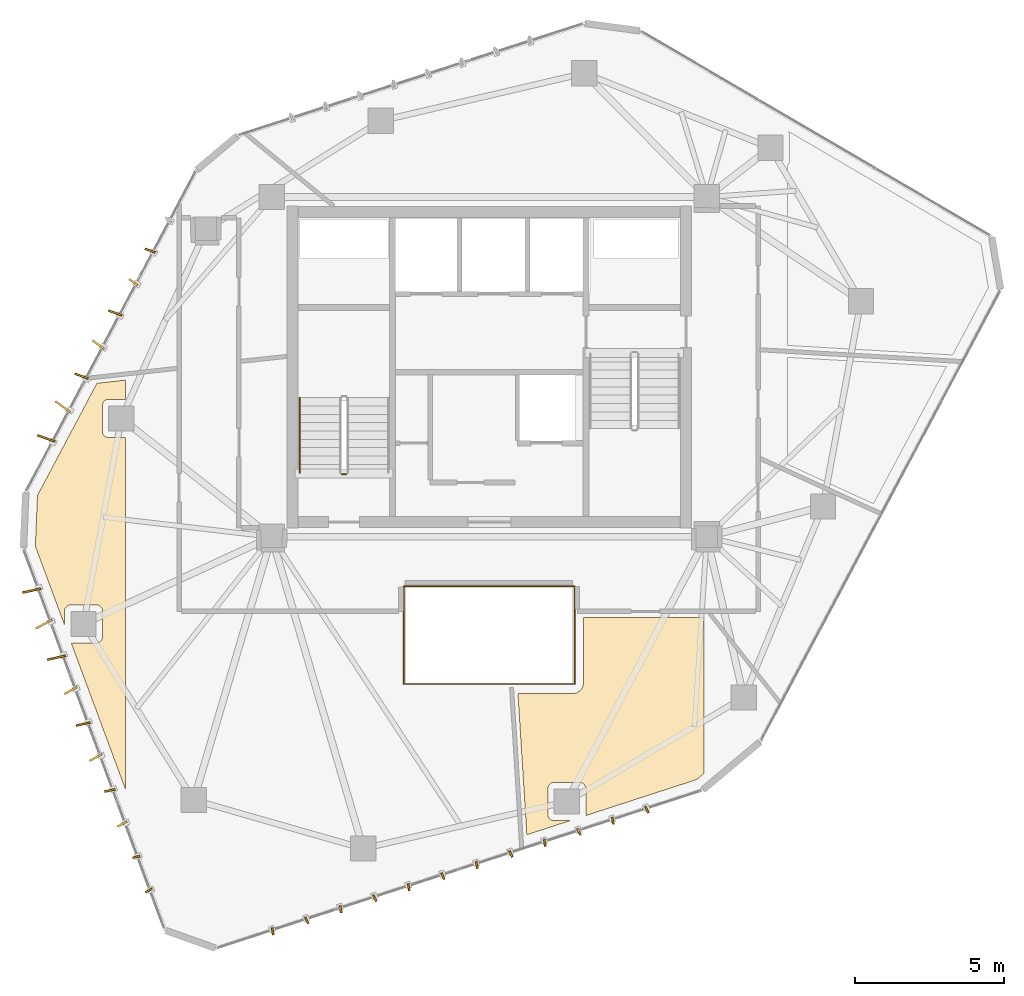
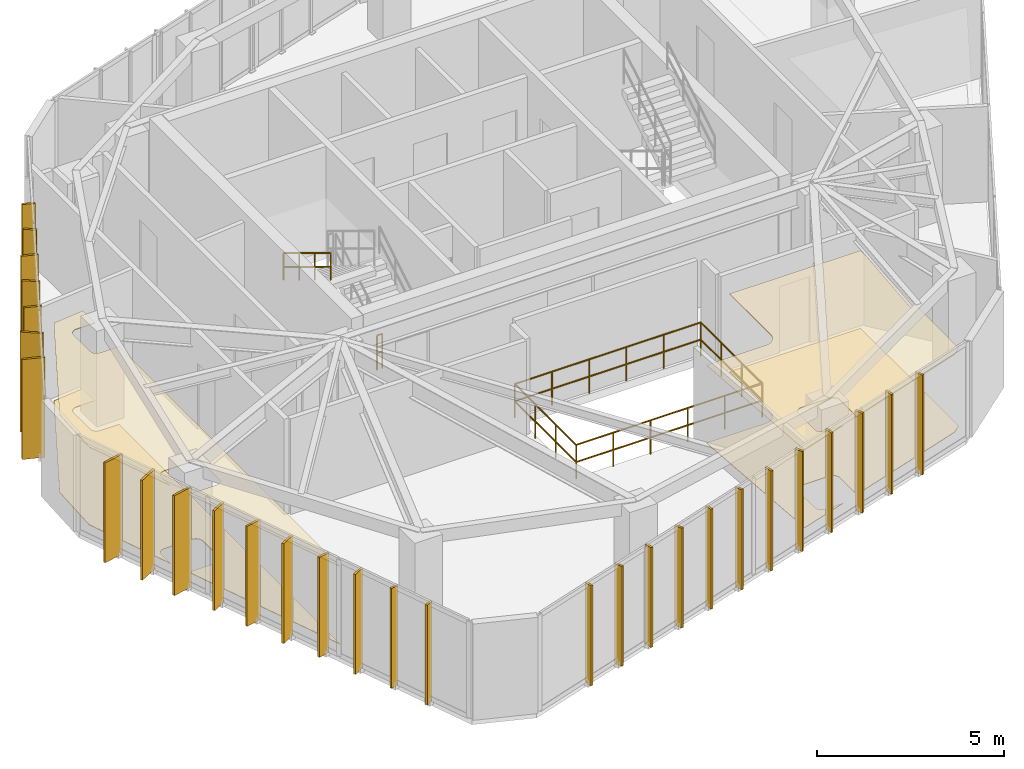
# One storey, part 18 of 19: 29 shading devices, 6 railings, 4 coverings.
"""IFC4 building model written with IfcOpenShell, lengths in metres."""

from ifc_helpers import new_model, si_unit, direction, frame, origin, origin_2d, place, context, subcontext, project, spatial, polyline, rectangle, circle, outline, extrude, source, transform, mapped, material, layer, layer_set, type_object, type_shapes, element, save


model = new_model("IFC4")

# Units and contexts
model_context = context("Model", 3, precision=1e-05, world=origin(), true_north=direction((0.0, 1.0)))
body_context = subcontext(model_context, "Body", "Model", "MODEL_VIEW")
ifc_project = project(units=[si_unit("LENGTHUNIT", "METRE"), si_unit("AREAUNIT", "SQUARE_METRE"), si_unit("VOLUMEUNIT", "CUBIC_METRE"), si_unit("PLANEANGLEUNIT", "RADIAN"), si_unit("MASSUNIT", "GRAM", prefix="KILO")], contexts=[model_context])

# Site, building, storey
site_placement = place(None, origin())
site = spatial("IfcSite", under=ifc_project, at=site_placement, CompositionType="ELEMENT")
building_placement = place(site_placement, origin())
building = spatial("IfcBuilding", under=site, at=building_placement, Name="Talar Marvaseh", CompositionType="ELEMENT")
storey_placement = place(building_placement, frame((0.0, 0.0, 288.39990234375)))
storey = spatial("IfcBuildingStorey", under=building, at=storey_placement, Name="L77", CompositionType="ELEMENT", Elevation=288.39990234375)

# Railings
ifc_material_1 = material(Name="Stainless Steel Grade 316", Category="steel")
railing_type_1 = type_object("IfcRailingType", Name="Brushed Stainless Wall Pitch Handrail 900", PredefinedType="HANDRAIL", material=ifc_material_1)
railing_1_placement = place(storey_placement, frame((19.64990234375, 30.169921875, 1.8701171875)))
element("IfcRailing", 1, at=railing_1_placement, inside=storey, type_object=railing_type_1, Name="L77 ST-1 stair handrail 2", PredefinedType="HANDRAIL", context=body_context, shape_type="SweptSolid", body=[
    extrude(circle(Radius=0.02392578125, at=origin_2d()), frame((0.0, 0.0, 0.8759765625), z_axis=(0.0, -0.85478489116, 0.518982456201), x_axis=(1.0, 0.0, 0.0)), (0.0, 0.0, 1.0), 2.9482421875),
    extrude(circle(Radius=0.02392578125, at=origin_2d()), frame((0.0, 0.0, 0.42578125), z_axis=(0.0, -0.85478489116, 0.518982456201), x_axis=(1.0, 0.0, 0.0)), (0.0, 0.0, 1.0), 2.9482421875),
    extrude(circle(Radius=0.02099609375, at=origin_2d()), origin(), (0.0, 0.0, 1.0), 0.851806640625),
    extrude(circle(Radius=0.02099609375, at=origin_2d()), frame((0.0, -0.840087890625, 0.510009765625)), (0.0, 0.0, 1.0), 0.851806640625),
    extrude(circle(Radius=0.02099609375, at=origin_2d()), frame((0.0, -1.679931640625, 1.02001953125)), (0.0, 0.0, 1.0), 0.851806640625),
    extrude(circle(Radius=0.02099609375, at=origin_2d()), frame((0.0, -2.52001953125, 1.530029296875)), (0.0, 0.0, 1.0), 0.851806640625),
])
ifc_material_2 = material(Name="Tempered Clear Glass", Category="glass")
railing_type_2 = type_object("IfcRailingType", Name="Interior Atrium Edge Balustrade 1120", PredefinedType="BALUSTRADE", material=ifc_material_2)
railing_2_placement = place(storey_placement, frame((23.130615234375, 20.560302734375, 0.0)))
element("IfcRailing", 2, at=railing_2_placement, inside=storey, type_object=railing_type_2, Name="L77 Internal Daylight Atrium Balustrade 1", PredefinedType="BALUSTRADE", context=body_context, shape_type="SweptSolid", body=[
    extrude(circle(Radius=0.02392578125, at=origin_2d()), frame((0.0, 0.0, 1.09619140625), z_axis=(1.0, 0.0, 0.0), x_axis=(0.0, 1.0, 0.0)), (0.0, 0.0, 1.0), 5.73876953125),
    extrude(circle(Radius=0.02392578125, at=origin_2d()), frame((0.0, 0.0, 0.5361328125), z_axis=(1.0, 0.0, 0.0), x_axis=(0.0, 1.0, 0.0)), (0.0, 0.0, 1.0), 5.73876953125),
    extrude(circle(Radius=0.02099609375, at=origin_2d()), origin(), (0.0, 0.0, 1.0), 1.072021484375),
    extrude(circle(Radius=0.02099609375, at=origin_2d()), frame((1.147705078125, 0.0, 0.0)), (0.0, 0.0, 1.0), 1.072021484375),
    extrude(circle(Radius=0.02099609375, at=origin_2d()), frame((2.29541015625, 0.0, 0.0)), (0.0, 0.0, 1.0), 1.072021484375),
    extrude(circle(Radius=0.02099609375, at=origin_2d()), frame((3.443359375, 0.0, 0.0)), (0.0, 0.0, 1.0), 1.072021484375),
    extrude(circle(Radius=0.02099609375, at=origin_2d()), frame((4.591064453125, 0.0, 0.0)), (0.0, 0.0, 1.0), 1.072021484375),
    extrude(circle(Radius=0.02099609375, at=origin_2d()), frame((5.73876953125, 0.0, 0.0)), (0.0, 0.0, 1.0), 1.072021484375),
])
railing_3_placement = place(storey_placement, frame((28.869384765625, 20.560302734375, 0.0)))
element("IfcRailing", 3, at=railing_3_placement, inside=storey, type_object=railing_type_2, Name="L77 Internal Daylight Atrium Balustrade 2", PredefinedType="BALUSTRADE", context=body_context, shape_type="SweptSolid", body=[
    extrude(circle(Radius=0.02392578125, at=origin_2d()), frame((0.0, 0.0, 1.09619140625), z_axis=(0.0, 1.0, 0.0), x_axis=(-1.0, 0.0, 0.0)), (0.0, 0.0, 1.0), 3.279296875),
    extrude(circle(Radius=0.02392578125, at=origin_2d()), frame((0.0, 0.0, 0.5361328125), z_axis=(0.0, 1.0, 0.0), x_axis=(-1.0, 0.0, 0.0)), (0.0, 0.0, 1.0), 3.279296875),
    extrude(circle(Radius=0.02099609375, at=origin_2d()), origin(), (0.0, 0.0, 1.0), 1.072021484375),
    extrude(circle(Radius=0.02099609375, at=origin_2d()), frame((0.0, 1.093017578125, 0.0)), (0.0, 0.0, 1.0), 1.072021484375),
    extrude(circle(Radius=0.02099609375, at=origin_2d()), frame((0.0, 2.186279296875, 0.0)), (0.0, 0.0, 1.0), 1.072021484375),
    extrude(circle(Radius=0.02099609375, at=origin_2d()), frame((0.0, 3.279296875, 0.0)), (0.0, 0.0, 1.0), 1.072021484375),
])
railing_4_placement = place(storey_placement, frame((28.869384765625, 23.839599609375, 0.0)))
element("IfcRailing", 4, at=railing_4_placement, inside=storey, type_object=railing_type_2, Name="L77 Internal Daylight Atrium Balustrade 3", PredefinedType="BALUSTRADE", context=body_context, shape_type="SweptSolid", body=[
    extrude(circle(Radius=0.02392578125, at=origin_2d()), frame((0.0, 0.0, 1.09619140625), z_axis=(-1.0, 0.0, 0.0), x_axis=(0.0, -1.0, 0.0)), (0.0, 0.0, 1.0), 5.73876953125),
    extrude(circle(Radius=0.02392578125, at=origin_2d()), frame((0.0, 0.0, 0.5361328125), z_axis=(-1.0, 0.0, 0.0), x_axis=(0.0, -1.0, 0.0)), (0.0, 0.0, 1.0), 5.73876953125),
    extrude(circle(Radius=0.02099609375, at=origin_2d()), origin(), (0.0, 0.0, 1.0), 1.072021484375),
    extrude(circle(Radius=0.02099609375, at=origin_2d()), frame((-1.147705078125, 0.0, 0.0)), (0.0, 0.0, 1.0), 1.072021484375),
    extrude(circle(Radius=0.02099609375, at=origin_2d()), frame((-2.29541015625, 0.0, 0.0)), (0.0, 0.0, 1.0), 1.072021484375),
    extrude(circle(Radius=0.02099609375, at=origin_2d()), frame((-3.443359375, 0.0, 0.0)), (0.0, 0.0, 1.0), 1.072021484375),
    extrude(circle(Radius=0.02099609375, at=origin_2d()), frame((-4.591064453125, 0.0, 0.0)), (0.0, 0.0, 1.0), 1.072021484375),
    extrude(circle(Radius=0.02099609375, at=origin_2d()), frame((-5.73876953125, 0.0, 0.0)), (0.0, 0.0, 1.0), 1.072021484375),
])
railing_5_placement = place(storey_placement, frame((23.130615234375, 23.839599609375, 0.0)))
element("IfcRailing", 5, at=railing_5_placement, inside=storey, type_object=railing_type_2, Name="L77 Internal Daylight Atrium Balustrade 4", PredefinedType="BALUSTRADE", context=body_context, shape_type="SweptSolid", body=[
    extrude(circle(Radius=0.02392578125, at=origin_2d()), frame((0.0, 0.0, 1.09619140625), z_axis=(0.0, -1.0, 0.0), x_axis=(1.0, 0.0, 0.0)), (0.0, 0.0, 1.0), 3.279296875),
    extrude(circle(Radius=0.02392578125, at=origin_2d()), frame((0.0, 0.0, 0.5361328125), z_axis=(0.0, -1.0, 0.0), x_axis=(1.0, 0.0, 0.0)), (0.0, 0.0, 1.0), 3.279296875),
    extrude(circle(Radius=0.02099609375, at=origin_2d()), origin(), (0.0, 0.0, 1.0), 1.072021484375),
    extrude(circle(Radius=0.02099609375, at=origin_2d()), frame((0.0, -1.093017578125, 0.0)), (0.0, 0.0, 1.0), 1.072021484375),
    extrude(circle(Radius=0.02099609375, at=origin_2d()), frame((0.0, -2.186279296875, 0.0)), (0.0, 0.0, 1.0), 1.072021484375),
    extrude(circle(Radius=0.02099609375, at=origin_2d()), frame((0.0, -3.279296875, 0.0)), (0.0, 0.0, 1.0), 1.072021484375),
])
railing_type_3 = type_object("IfcRailingType", Name="Painted Steel Core Stair Well Guardrail 1150", PredefinedType="GUARDRAIL", material=ifc_material_1)
railing_6_placement = place(storey_placement, frame((21.2099609375, 27.60009765625, 0.0)))
element("IfcRailing", 6, at=railing_6_placement, inside=storey, type_object=railing_type_3, Name="L77 ST-1 stair guard 4", PredefinedType="GUARDRAIL", context=body_context, shape_type="SweptSolid", body=[
    extrude(circle(Radius=0.02392578125, at=origin_2d()), frame((0.0, 0.0, 1.1259765625), z_axis=(-1.0, 0.0, 0.0), x_axis=(0.0, -1.0, 0.0)), (0.0, 0.0, 1.0), 0.159912109375),
    extrude(circle(Radius=0.02392578125, at=origin_2d()), frame((0.0, 0.0, 0.55078125), z_axis=(-1.0, 0.0, 0.0), x_axis=(0.0, -1.0, 0.0)), (0.0, 0.0, 1.0), 0.159912109375),
    extrude(circle(Radius=0.02099609375, at=origin_2d()), origin(), (0.0, 0.0, 1.0), 1.101806640625),
    extrude(circle(Radius=0.02099609375, at=origin_2d()), frame((-0.159912109375, 0.0, 0.0)), (0.0, 0.0, 1.0), 1.101806640625),
])

# Coverings
ifc_material_3 = material(Name="Mineral Fibre Acoustic Ceiling")
ifc_layer_1 = layer(ifc_material_3, 0.02490234375)
ifc_layer_set_1 = layer_set([ifc_layer_1], Name="Mineral Fibre Acoustic Ceiling")
covering_type_1 = type_object("IfcCoveringType", Name="Perforated Mineral Fibre Acoustic Suspended Ceiling", PredefinedType="CEILING", material=ifc_layer_set_1)
covering_1_placement = place(storey_placement, frame((0.0, 0.0, 2.53515625)))
element("IfcCovering", 7, at=covering_1_placement, inside=storey, type_object=covering_type_1, Name="L77 Rare Books Archive Room Acoustic Ceiling", PredefinedType="CEILING", context=body_context, shape_type="SweptSolid", body=[
    extrude(outline(polyline([(12.83837890625, 30.652099609375), (13.800048828125, 30.7578125), (13.800048828125, 30.108642578125), (13.221435546875, 30.105712890625), (13.201904296875, 30.1044921875), (13.1826171875, 30.1015625), (13.16357421875, 30.0966796875), (13.145263671875, 30.090087890625), (13.12744140625, 30.081787109375), (13.11083984375, 30.071533203125), (13.09521484375, 30.059814453125), (13.08056640625, 30.046630859375), (13.0673828125, 30.031982421875), (13.055908203125, 30.016357421875), (13.0458984375, 29.99951171875), (13.03759765625, 29.98193359375), (13.031005859375, 29.96337890625), (13.026123046875, 29.944580078125), (13.0234375, 29.925048828125), (13.0224609375, 29.905517578125), (13.0224609375, 29.034423828125), (13.0234375, 29.014892578125), (13.026123046875, 28.995361328125), (13.031005859375, 28.976318359375), (13.03759765625, 28.9580078125), (13.0458984375, 28.940185546875), (13.05615234375, 28.92333984375), (13.06787109375, 28.907470703125), (13.0810546875, 28.89306640625), (13.095458984375, 28.8798828125), (13.111328125, 28.8681640625), (13.128173828125, 28.85791015625), (13.14599609375, 28.849609375), (13.164306640625, 28.843017578125), (13.183349609375, 28.838134765625), (13.202880859375, 28.83544921875), (13.222412109375, 28.83447265625), (13.800048828125, 28.83447265625), (13.800048828125, 17.016357421875), (11.9736328125, 21.94140625), (12.82470703125, 21.94140625), (12.843994140625, 21.9423828125), (12.863525390625, 21.9453125), (12.882568359375, 21.949951171875), (12.90087890625, 21.95654296875), (12.918701171875, 21.96484375), (12.935302734375, 21.974853515625), (12.951171875, 21.986572265625), (12.9658203125, 21.99951171875), (12.978759765625, 22.01416015625), (12.990478515625, 22.02978515625), (13.000732421875, 22.04638671875), (13.009033203125, 22.064208984375), (13.015869140625, 22.08251953125), (13.0205078125, 22.1015625), (13.0234375, 22.120849609375), (13.024658203125, 22.140380859375), (13.02880859375, 23.00244140625), (13.028076171875, 23.02099609375), (13.025634765625, 23.03955078125), (13.021484375, 23.057861328125), (13.015380859375, 23.075439453125), (13.008056640625, 23.092529296875), (12.998779296875, 23.10888671875), (12.98828125, 23.124267578125), (12.976318359375, 23.138671875), (12.963134765625, 23.151611328125), (12.9482421875, 23.165283203125), (12.93408203125, 23.177001953125), (12.918701171875, 23.1875), (12.902587890625, 23.1962890625), (12.885498046875, 23.203857421875), (12.867919921875, 23.209716796875), (12.849853515625, 23.2138671875), (12.83154296875, 23.21630859375), (12.81298828125, 23.217041015625), (11.952392578125, 23.212646484375), (11.932861328125, 23.21142578125), (11.91357421875, 23.20849609375), (11.89453125, 23.20361328125), (11.876220703125, 23.197021484375), (11.8583984375, 23.188720703125), (11.841796875, 23.178466796875), (11.826171875, 23.166748046875), (11.8115234375, 23.15380859375), (11.798583984375, 23.13916015625), (11.786865234375, 23.123291015625), (11.77685546875, 23.106689453125), (11.7685546875, 23.0888671875), (11.761962890625, 23.070556640625), (11.757080078125, 23.051513671875), (11.75439453125, 23.031982421875), (11.75341796875, 23.0126953125), (11.75341796875, 22.535400390625), (10.772705078125, 25.18017578125), (10.843505859375, 26.8896484375), (12.83837890625, 30.652099609375)])), origin(), (0.0, 0.0, 1.0), 0.02490234375),
])
covering_2_placement = place(storey_placement, frame((0.0, 0.0, 2.53515625)))
element("IfcCovering", 8, at=covering_2_placement, inside=storey, type_object=covering_type_1, Name="L77 Hospitality Tea Pantry Acoustic Ceiling", PredefinedType="CEILING", context=body_context, shape_type="SweptSolid", body=[
    extrude(outline(polyline([(26.962646484375, 20.239990234375), (28.800048828125, 20.239990234375), (28.819580078125, 20.240966796875), (28.839111328125, 20.243896484375), (28.900390625, 20.256103515625), (28.921630859375, 20.261474609375), (28.942138671875, 20.269287109375), (28.9619140625, 20.279296875), (28.980224609375, 20.29150390625), (29.042724609375, 20.337890625), (29.05810546875, 20.350341796875), (29.072021484375, 20.3642578125), (29.08447265625, 20.37939453125), (29.09521484375, 20.39599609375), (29.119384765625, 20.436279296875), (29.1298828125, 20.456298828125), (29.13818359375, 20.4775390625), (29.143798828125, 20.499755859375), (29.156005859375, 20.560791015625), (29.158935546875, 20.580322265625), (29.159912109375, 20.60009765625), (29.159912109375, 22.800048828125), (33.199951171875, 22.800048828125), (33.199951171875, 17.55419921875), (32.96435546875, 17.3564453125), (29.237060546875, 16.144775390625), (29.239501953125, 16.160888671875), (29.240478515625, 16.180419921875), (29.244873046875, 17.04248046875), (29.244140625, 17.06103515625), (29.24169921875, 17.07958984375), (29.2373046875, 17.097900390625), (29.2314453125, 17.115478515625), (29.22412109375, 17.132568359375), (29.21484375, 17.14892578125), (29.204345703125, 17.164306640625), (29.1923828125, 17.1787109375), (29.17919921875, 17.191650390625), (29.164306640625, 17.205078125), (29.14990234375, 17.217041015625), (29.134765625, 17.227294921875), (29.118408203125, 17.236328125), (29.1015625, 17.243896484375), (29.083984375, 17.24951171875), (29.06591796875, 17.25390625), (29.047607421875, 17.256103515625), (29.029052734375, 17.257080078125), (28.16845703125, 17.252685546875), (28.148681640625, 17.25146484375), (28.12939453125, 17.24853515625), (28.110595703125, 17.24365234375), (28.09228515625, 17.237060546875), (28.074462890625, 17.228759765625), (28.057861328125, 17.218505859375), (28.0419921875, 17.206787109375), (28.027587890625, 17.193603515625), (28.014404296875, 17.17919921875), (28.0029296875, 17.163330078125), (27.992919921875, 17.146484375), (27.984619140625, 17.12890625), (27.97802734375, 17.110595703125), (27.97314453125, 17.091552734375), (27.970458984375, 17.072021484375), (27.969482421875, 17.052490234375), (27.969482421875, 16.181396484375), (27.970458984375, 16.161865234375), (27.97314453125, 16.142333984375), (27.97802734375, 16.123291015625), (27.984619140625, 16.10498046875), (27.992919921875, 16.087158203125), (28.003173828125, 16.0703125), (28.014892578125, 16.054443359375), (28.028076171875, 16.0400390625), (28.04248046875, 16.02685546875), (28.058349609375, 16.01513671875), (28.0751953125, 16.0048828125), (28.093017578125, 15.99658203125), (28.111328125, 15.989990234375), (28.13037109375, 15.985107421875), (28.14990234375, 15.982421875), (28.16943359375, 15.9814453125), (28.734619140625, 15.9814453125), (27.26220703125, 15.502685546875), (26.962646484375, 20.239990234375)])), origin(), (0.0, 0.0, 1.0), 0.02490234375),
])
ifc_material_4 = material(Name="Porcelain Stoneware Tile", Category="masonry")
ifc_layer_2 = layer(ifc_material_4, 0.02001953125)
ifc_layer_set_2 = layer_set([ifc_layer_2], Name="Porcelain Stoneware Tile")
covering_type_2 = type_object("IfcCoveringType", Name="Polished Porcelain Stoneware Gallery Flooring", PredefinedType="FLOORING", material=ifc_layer_set_2)
covering_3_placement = place(storey_placement, origin())
element("IfcCovering", 9, at=covering_3_placement, inside=storey, type_object=covering_type_2, Name="L77 Rare Books Archive Room Flooring", PredefinedType="FLOORING", context=body_context, shape_type="SweptSolid", body=[
    extrude(outline(polyline([(12.83837890625, 30.652099609375), (13.800048828125, 30.7578125), (13.800048828125, 30.108642578125), (13.221435546875, 30.105712890625), (13.201904296875, 30.1044921875), (13.1826171875, 30.1015625), (13.16357421875, 30.0966796875), (13.145263671875, 30.090087890625), (13.12744140625, 30.081787109375), (13.11083984375, 30.071533203125), (13.09521484375, 30.059814453125), (13.08056640625, 30.046630859375), (13.0673828125, 30.031982421875), (13.055908203125, 30.016357421875), (13.0458984375, 29.99951171875), (13.03759765625, 29.98193359375), (13.031005859375, 29.96337890625), (13.026123046875, 29.944580078125), (13.0234375, 29.925048828125), (13.0224609375, 29.905517578125), (13.0224609375, 29.034423828125), (13.0234375, 29.014892578125), (13.026123046875, 28.995361328125), (13.031005859375, 28.976318359375), (13.03759765625, 28.9580078125), (13.0458984375, 28.940185546875), (13.05615234375, 28.92333984375), (13.06787109375, 28.907470703125), (13.0810546875, 28.89306640625), (13.095458984375, 28.8798828125), (13.111328125, 28.8681640625), (13.128173828125, 28.85791015625), (13.14599609375, 28.849609375), (13.164306640625, 28.843017578125), (13.183349609375, 28.838134765625), (13.202880859375, 28.83544921875), (13.222412109375, 28.83447265625), (13.800048828125, 28.83447265625), (13.800048828125, 17.016357421875), (11.9736328125, 21.94140625), (12.82470703125, 21.94140625), (12.843994140625, 21.9423828125), (12.863525390625, 21.9453125), (12.882568359375, 21.949951171875), (12.90087890625, 21.95654296875), (12.918701171875, 21.96484375), (12.935302734375, 21.974853515625), (12.951171875, 21.986572265625), (12.9658203125, 21.99951171875), (12.978759765625, 22.01416015625), (12.990478515625, 22.02978515625), (13.000732421875, 22.04638671875), (13.009033203125, 22.064208984375), (13.015869140625, 22.08251953125), (13.0205078125, 22.1015625), (13.0234375, 22.120849609375), (13.024658203125, 22.140380859375), (13.02880859375, 23.00244140625), (13.028076171875, 23.02099609375), (13.025634765625, 23.03955078125), (13.021484375, 23.057861328125), (13.015380859375, 23.075439453125), (13.008056640625, 23.092529296875), (12.998779296875, 23.10888671875), (12.98828125, 23.124267578125), (12.976318359375, 23.138671875), (12.963134765625, 23.151611328125), (12.9482421875, 23.165283203125), (12.93408203125, 23.177001953125), (12.918701171875, 23.1875), (12.902587890625, 23.1962890625), (12.885498046875, 23.203857421875), (12.867919921875, 23.209716796875), (12.849853515625, 23.2138671875), (12.83154296875, 23.21630859375), (12.81298828125, 23.217041015625), (11.952392578125, 23.212646484375), (11.932861328125, 23.21142578125), (11.91357421875, 23.20849609375), (11.89453125, 23.20361328125), (11.876220703125, 23.197021484375), (11.8583984375, 23.188720703125), (11.841796875, 23.178466796875), (11.826171875, 23.166748046875), (11.8115234375, 23.15380859375), (11.798583984375, 23.13916015625), (11.786865234375, 23.123291015625), (11.77685546875, 23.106689453125), (11.7685546875, 23.0888671875), (11.761962890625, 23.070556640625), (11.757080078125, 23.051513671875), (11.75439453125, 23.031982421875), (11.75341796875, 23.0126953125), (11.75341796875, 22.535400390625), (10.772705078125, 25.18017578125), (10.843505859375, 26.8896484375), (12.83837890625, 30.652099609375)])), origin(), (0.0, 0.0, 1.0), 0.02001953125),
])
covering_4_placement = place(storey_placement, origin())
element("IfcCovering", 10, at=covering_4_placement, inside=storey, type_object=covering_type_2, Name="L77 Hospitality Tea Pantry Flooring", PredefinedType="FLOORING", context=body_context, shape_type="SweptSolid", body=[
    extrude(outline(polyline([(26.962646484375, 20.239990234375), (28.800048828125, 20.239990234375), (28.819580078125, 20.240966796875), (28.839111328125, 20.243896484375), (28.900390625, 20.256103515625), (28.921630859375, 20.261474609375), (28.942138671875, 20.269287109375), (28.9619140625, 20.279296875), (28.980224609375, 20.29150390625), (29.042724609375, 20.337890625), (29.05810546875, 20.350341796875), (29.072021484375, 20.3642578125), (29.08447265625, 20.37939453125), (29.09521484375, 20.39599609375), (29.119384765625, 20.436279296875), (29.1298828125, 20.456298828125), (29.13818359375, 20.4775390625), (29.143798828125, 20.499755859375), (29.156005859375, 20.560791015625), (29.158935546875, 20.580322265625), (29.159912109375, 20.60009765625), (29.159912109375, 22.800048828125), (33.199951171875, 22.800048828125), (33.199951171875, 17.55419921875), (32.96435546875, 17.3564453125), (29.237060546875, 16.144775390625), (29.239501953125, 16.160888671875), (29.240478515625, 16.180419921875), (29.244873046875, 17.04248046875), (29.244140625, 17.06103515625), (29.24169921875, 17.07958984375), (29.2373046875, 17.097900390625), (29.2314453125, 17.115478515625), (29.22412109375, 17.132568359375), (29.21484375, 17.14892578125), (29.204345703125, 17.164306640625), (29.1923828125, 17.1787109375), (29.17919921875, 17.191650390625), (29.164306640625, 17.205078125), (29.14990234375, 17.217041015625), (29.134765625, 17.227294921875), (29.118408203125, 17.236328125), (29.1015625, 17.243896484375), (29.083984375, 17.24951171875), (29.06591796875, 17.25390625), (29.047607421875, 17.256103515625), (29.029052734375, 17.257080078125), (28.16845703125, 17.252685546875), (28.148681640625, 17.25146484375), (28.12939453125, 17.24853515625), (28.110595703125, 17.24365234375), (28.09228515625, 17.237060546875), (28.074462890625, 17.228759765625), (28.057861328125, 17.218505859375), (28.0419921875, 17.206787109375), (28.027587890625, 17.193603515625), (28.014404296875, 17.17919921875), (28.0029296875, 17.163330078125), (27.992919921875, 17.146484375), (27.984619140625, 17.12890625), (27.97802734375, 17.110595703125), (27.97314453125, 17.091552734375), (27.970458984375, 17.072021484375), (27.969482421875, 17.052490234375), (27.969482421875, 16.181396484375), (27.970458984375, 16.161865234375), (27.97314453125, 16.142333984375), (27.97802734375, 16.123291015625), (27.984619140625, 16.10498046875), (27.992919921875, 16.087158203125), (28.003173828125, 16.0703125), (28.014892578125, 16.054443359375), (28.028076171875, 16.0400390625), (28.04248046875, 16.02685546875), (28.058349609375, 16.01513671875), (28.0751953125, 16.0048828125), (28.093017578125, 15.99658203125), (28.111328125, 15.989990234375), (28.13037109375, 15.985107421875), (28.14990234375, 15.982421875), (28.16943359375, 15.9814453125), (28.734619140625, 15.9814453125), (27.26220703125, 15.502685546875), (26.962646484375, 20.239990234375)])), origin(), (0.0, 0.0, 1.0), 0.02001953125),
])

# Shading devices
ifc_material_5 = material(Name="Anodised Champagne Bronze Aluminium", Category="aluminium")
ifc_layer_3 = layer(ifc_material_5, 0.06494140625)
ifc_layer_set_3 = layer_set([ifc_layer_3], Name="Anodised Champagne Bronze Aluminium")
shading_device_type_1 = type_object("IfcShadingDeviceType", Name="Sawtooth Champagne Bronze Vertical Fin 240", PredefinedType="USERDEFINED", material=ifc_layer_set_3)
shared_shape_1 = source(origin(), body_context, "Body", "SweptSolid", [
    extrude(rectangle(XDim=0.239990234375, YDim=0.06494140625, at=origin_2d()), origin(), (0.0, 0.0, 1.0), 3.260009765625),
])
type_shapes(shading_device_type_1, [shared_shape_1])
for number, where, z_axis, x_axis, name in (
    (11, (14.57958984375, 13.63427734375, -0.1201171875), (0.0, 0.0, 1.0), (-0.880063298291, -0.474856389871, 0.0), "L77 Sawtooth Vertical Solar Fin"),
    (12, (14.162353515625, 14.759521484375, -0.1201171875), (0.0, 0.0, 1.0), (-0.976859298345, -0.213882938162, 0.0), "L77 Sawtooth Vertical Solar Fin"),
    (13, (31.288818359375, 16.34375, -0.1201171875), (0.0, 0.0, 1.0), (0.438528009266, -0.898717522412, 0.0), "L77 Sawtooth Vertical Solar Fin"),
    (14, (30.147705078125, 15.972900390625, -0.1201171875), (0.0, 0.0, 1.0), (0.173820056399, -0.984777430688, 0.0), "L77 Sawtooth Vertical Solar Fin"),
    (15, (29.006591796875, 15.601806640625, -0.1201171875), (0.0, 0.0, 1.0), (0.438528009266, -0.898717522412, 0.0), "L77 Sawtooth Vertical Solar Fin"),
    (16, (27.865234375, 15.230712890625, -0.1201171875), (0.0, 0.0, 1.0), (0.173820056399, -0.984777430688, 0.0), "L77 Sawtooth Vertical Solar Fin"),
    (17, (26.72412109375, 14.85986328125, -0.1201171875), (0.0, 0.0, 1.0), (0.438528009266, -0.898717522412, 0.0), "L77 Sawtooth Vertical Solar Fin"),
    (18, (25.582763671875, 14.48876953125, -0.1201171875), (0.0, 0.0, 1.0), (0.173820056399, -0.984777430688, 0.0), "L77 Sawtooth Vertical Solar Fin"),
    (19, (24.441650390625, 14.117919921875, -0.1201171875), (0.0, 0.0, 1.0), (0.438528009266, -0.898717522412, 0.0), "L77 Sawtooth Vertical Solar Fin"),
    (20, (23.30029296875, 13.746826171875, -0.1201171875), (0.0, 0.0, 1.0), (0.173820056399, -0.984777430688, 0.0), "L77 Sawtooth Vertical Solar Fin"),
    (21, (22.1591796875, 13.3759765625, -0.1201171875), (0.0, 0.0, 1.0), (0.438528009266, -0.898717522412, 0.0), "L77 Sawtooth Vertical Solar Fin"),
    (22, (21.01806640625, 13.0048828125, -0.1201171875), (0.0, 0.0, 1.0), (0.173820056399, -0.984777430688, 0.0), "L77 Sawtooth Vertical Solar Fin"),
    (23, (19.876708984375, 12.6337890625, -0.1201171875), (0.0, 0.0, 1.0), (0.438528009266, -0.898717522412, 0.0), "L77 Sawtooth Vertical Solar Fin"),
    (24, (18.735595703125, 12.262939453125, -0.1201171875), (0.0, 0.0, 1.0), (0.173820056399, -0.984777430688, 0.0), "L77 Sawtooth Vertical Solar Fin"),
):
    element("IfcShadingDevice", number, at=place(storey_placement, frame(where, z_axis=z_axis, x_axis=x_axis)), inside=storey, type_object=shading_device_type_1, Name=name, ObjectType="FIN", PredefinedType="USERDEFINED", context=body_context, shape_type="MappedRepresentation", body=[
        mapped(shared_shape_1, transform((0.0, 0.0, 0.0), x_axis=(1.0, 0.0, 0.0), y_axis=(0.0, 1.0, 0.0), z_axis=(0.0, 0.0, 1.0), scale=1.0)),
    ])
ifc_layer_4 = layer(ifc_material_5, 0.06494140625)
ifc_layer_set_4 = layer_set([ifc_layer_4], Name="Anodised Champagne Bronze Aluminium")
shading_device_type_2 = type_object("IfcShadingDeviceType", Name="Sawtooth Champagne Bronze Vertical Fin 360", PredefinedType="USERDEFINED", material=ifc_layer_set_4)
shared_shape_2 = source(origin(), body_context, "Body", "SweptSolid", [
    extrude(rectangle(XDim=0.360107421875, YDim=0.06494140625, at=origin_2d()), origin(), (0.0, 0.0, 1.0), 3.260009765625),
])
type_shapes(shading_device_type_2, [shared_shape_2])
for number, where, z_axis, x_axis, name in (
    (25, (13.68896484375, 15.86376953125, -0.1201171875), (0.0, 0.0, 1.0), (-0.880063298291, -0.474856389871, 0.0), "L77 Sawtooth Vertical Solar Fin"),
    (26, (13.271484375, 16.98876953125, -0.1201171875), (0.0, 0.0, 1.0), (-0.976859298345, -0.213882938162, 0.0), "L77 Sawtooth Vertical Solar Fin"),
    (27, (14.063232421875, 34.040283203125, -0.1201171875), (0.0, 0.0, 1.0), (-0.809734505573, 0.586796413149, 0.0), "L77 Sawtooth Vertical Solar Fin"),
    (28, (14.625244140625, 35.1005859375, -0.1201171875), (0.0, 0.0, 1.0), (-0.94010977581, 0.340871837244, 0.0), "L77 Sawtooth Vertical Solar Fin"),
):
    element("IfcShadingDevice", number, at=place(storey_placement, frame(where, z_axis=z_axis, x_axis=x_axis)), inside=storey, type_object=shading_device_type_2, Name=name, ObjectType="FIN", PredefinedType="USERDEFINED", context=body_context, shape_type="MappedRepresentation", body=[
        mapped(shared_shape_2, transform((0.0, 0.0, 0.0), x_axis=(1.0, 0.0, 0.0), y_axis=(0.0, 1.0, 0.0), z_axis=(0.0, 0.0, 1.0), scale=1.0)),
    ])
ifc_layer_5 = layer(ifc_material_5, 0.06494140625)
ifc_layer_set_5 = layer_set([ifc_layer_5], Name="Anodised Champagne Bronze Aluminium")
shading_device_type_3 = type_object("IfcShadingDeviceType", Name="Sawtooth Champagne Bronze Vertical Fin 480", PredefinedType="USERDEFINED", material=ifc_layer_set_5)
shared_shape_3 = source(origin(), body_context, "Body", "SweptSolid", [
    extrude(rectangle(XDim=0.47998046875, YDim=0.06494140625, at=origin_2d()), origin(), (0.0, 0.0, 1.0), 3.260009765625),
])
type_shapes(shading_device_type_3, [shared_shape_3])
for number, where, z_axis, x_axis, name in (
    (29, (12.798095703125, 18.093017578125, -0.1201171875), (0.0, 0.0, 1.0), (-0.880063298291, -0.474856389871, 0.0), "L77 Sawtooth Vertical Solar Fin"),
    (30, (12.380859375, 19.21826171875, -0.1201171875), (0.0, 0.0, 1.0), (-0.976859298345, -0.213882938162, 0.0), "L77 Sawtooth Vertical Solar Fin"),
    (31, (11.963623046875, 20.343505859375, -0.1201171875), (0.0, 0.0, 1.0), (-0.880063298291, -0.474856389871, 0.0), "L77 Sawtooth Vertical Solar Fin"),
    (32, (12.323974609375, 30.887939453125, -0.1201171875), (0.0, 0.0, 1.0), (-0.94010977581, 0.340871837244, 0.0), "L77 Sawtooth Vertical Solar Fin"),
    (33, (12.885986328125, 31.947998046875, -0.1201171875), (0.0, 0.0, 1.0), (-0.809734505573, 0.586796413149, 0.0), "L77 Sawtooth Vertical Solar Fin"),
    (34, (13.447998046875, 33.00830078125, -0.1201171875), (0.0, 0.0, 1.0), (-0.94010977581, 0.340871837244, 0.0), "L77 Sawtooth Vertical Solar Fin"),
):
    element("IfcShadingDevice", number, at=place(storey_placement, frame(where, z_axis=z_axis, x_axis=x_axis)), inside=storey, type_object=shading_device_type_3, Name=name, ObjectType="FIN", PredefinedType="USERDEFINED", context=body_context, shape_type="MappedRepresentation", body=[
        mapped(shared_shape_3, transform((0.0, 0.0, 0.0), x_axis=(1.0, 0.0, 0.0), y_axis=(0.0, 1.0, 0.0), z_axis=(0.0, 0.0, 1.0), scale=1.0)),
    ])
ifc_layer_6 = layer(ifc_material_5, 0.06494140625)
ifc_layer_set_6 = layer_set([ifc_layer_6], Name="Anodised Champagne Bronze Aluminium")
shading_device_type_4 = type_object("IfcShadingDeviceType", Name="Sawtooth Champagne Bronze Vertical Fin 620", PredefinedType="USERDEFINED", material=ifc_layer_set_6)
shared_shape_4 = source(origin(), body_context, "Body", "SweptSolid", [
    extrude(rectangle(XDim=0.6201171875, YDim=0.06494140625, at=origin_2d()), origin(), (0.0, 0.0, 1.0), 3.260009765625),
])
type_shapes(shading_device_type_4, [shared_shape_4])
for number, where, z_axis, x_axis, name in (
    (35, (11.480712890625, 21.444091796875, -0.1201171875), (0.0, 0.0, 1.0), (-0.976859298345, -0.213882938162, 0.0), "L77 Sawtooth Vertical Solar Fin"),
    (36, (11.063720703125, 22.5693359375, -0.1201171875), (0.0, 0.0, 1.0), (-0.880063298291, -0.474856389871, 0.0), "L77 Sawtooth Vertical Solar Fin"),
    (37, (10.646484375, 23.6943359375, -0.1201171875), (0.0, 0.0, 1.0), (-0.976859298345, -0.213882938162, 0.0), "L77 Sawtooth Vertical Solar Fin"),
    (38, (11.137939453125, 28.80029296875, -0.1201171875), (0.0, 0.0, 1.0), (-0.94010977581, 0.340871837244, 0.0), "L77 Sawtooth Vertical Solar Fin"),
    (39, (11.699951171875, 29.860595703125, -0.1201171875), (0.0, 0.0, 1.0), (-0.809734505573, 0.586796413149, 0.0), "L77 Sawtooth Vertical Solar Fin"),
):
    element("IfcShadingDevice", number, at=place(storey_placement, frame(where, z_axis=z_axis, x_axis=x_axis)), inside=storey, type_object=shading_device_type_4, Name=name, ObjectType="FIN", PredefinedType="USERDEFINED", context=body_context, shape_type="MappedRepresentation", body=[
        mapped(shared_shape_4, transform((0.0, 0.0, 0.0), x_axis=(1.0, 0.0, 0.0), y_axis=(0.0, 1.0, 0.0), z_axis=(0.0, 0.0, 1.0), scale=1.0)),
    ])

save(model, "model.ifc")
